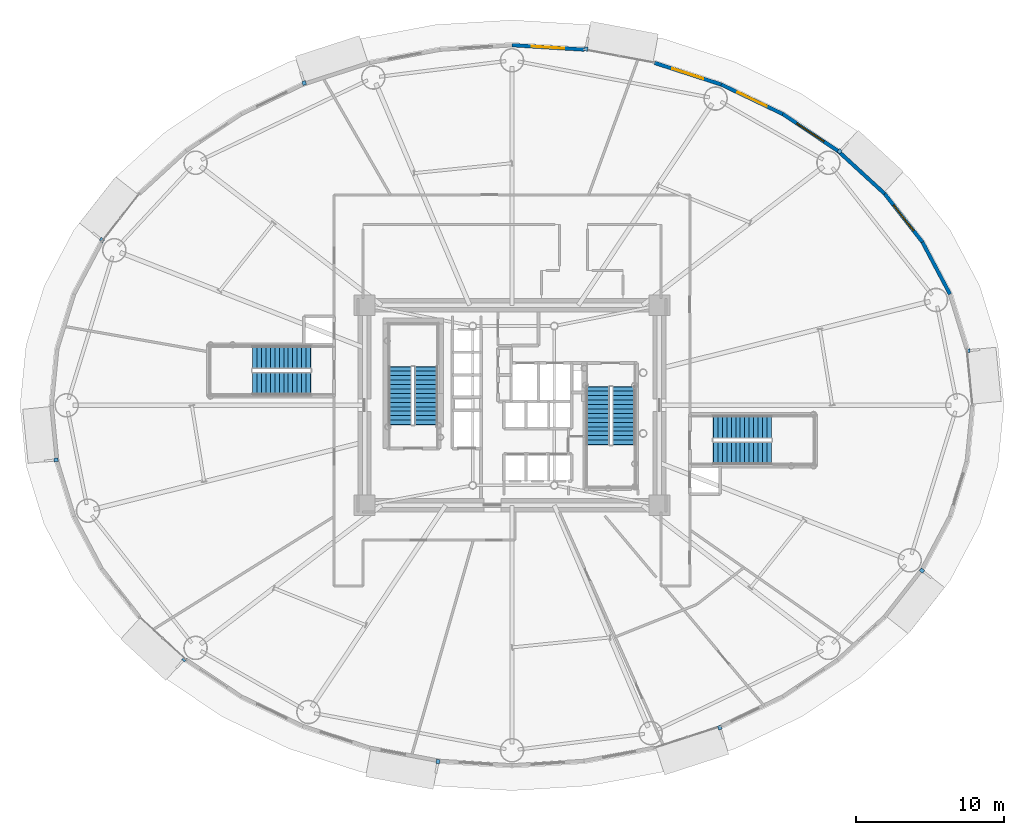
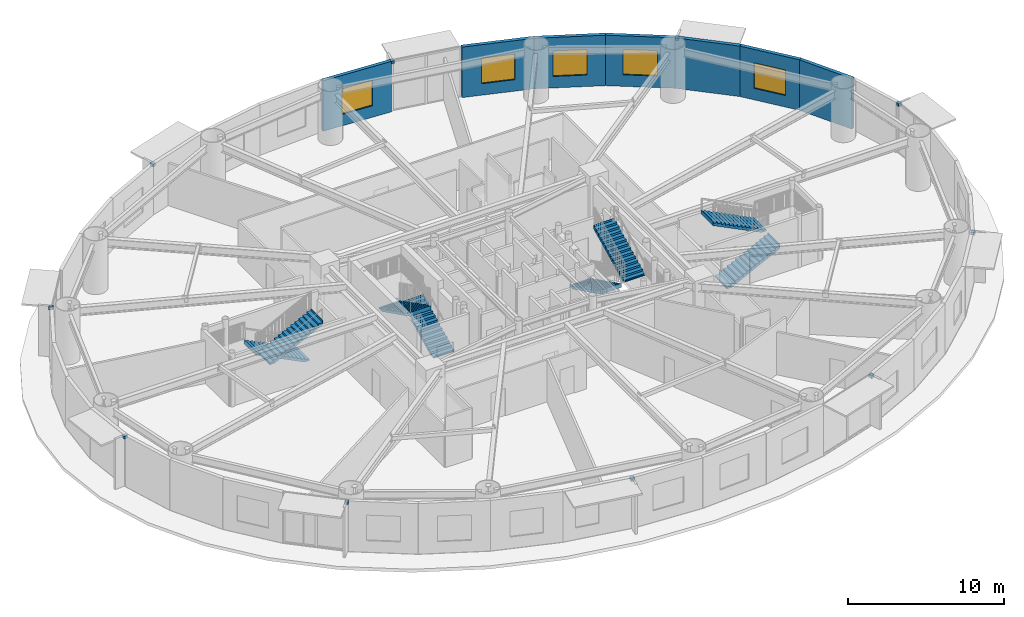
# One storey, part 23 of 35: 10 discrete accessories, 8 stair flights, 7 walls, 5 windows, 5 openings, 4 elements without a shape of their own.
"""IFC4 building model written with IfcOpenShell, lengths in metres."""

from ifc_helpers import new_model, si_unit, direction, frame, frame_2d, origin, origin_2d, place, context, subcontext, project, spatial, polyline, rectangle, outline, extrude, source, transform, mapped, material, layer, layer_set, type_object, element, fill, aggregate, save


model = new_model("IFC4")

# Units and contexts
model_context = context("Model", 3, precision=1e-05, world=origin(), true_north=direction((0.0, 1.0)))
body_context = subcontext(model_context, "Body", "Model", "MODEL_VIEW")
ifc_project = project(units=[si_unit("LENGTHUNIT", "METRE"), si_unit("AREAUNIT", "SQUARE_METRE"), si_unit("VOLUMEUNIT", "CUBIC_METRE"), si_unit("PLANEANGLEUNIT", "RADIAN"), si_unit("MASSUNIT", "GRAM", prefix="KILO")], contexts=[model_context])

# Site, building, storey
site_placement = place(None, origin())
site = spatial("IfcSite", under=ifc_project, at=site_placement, CompositionType="ELEMENT")
building_placement = place(site_placement, origin())
building = spatial("IfcBuilding", under=site, at=building_placement, Name="Linh Dai School and Residence Tower", CompositionType="ELEMENT")
storey_placement = place(building_placement, frame((0.0, 0.0, 32.39990234375)))
storey = spatial("IfcBuildingStorey", under=building, at=storey_placement, Name="L07", CompositionType="ELEMENT", Elevation=32.39990234375)

# Wall
ifc_material_1 = material(Name="Precast Concrete B45 (C35/45)", Category="concrete")
ifc_layer = layer(ifc_material_1, 0.25)
ifc_layer_set = layer_set([ifc_layer], Name="Precast Concrete B45 (C35/45)")
wall_type = type_object("IfcWallType", Name="EW-TC-250", PredefinedType="SOLIDWALL", material=ifc_layer_set)
wall_1_placement = place(storey_placement, frame((63.694580078125, 38.022705078125, 0.0), z_axis=(0.0, 0.0, 1.0), x_axis=(0.467662443071, -0.883907144072, 0.0)))
element("IfcWall", 1, at=wall_1_placement, inside=storey, type_object=wall_type, Name="L07 Terracotta Exterior Wall 03", PredefinedType="SOLIDWALL", context=body_context, shape_type="SweptSolid", body=[
    extrude(rectangle(XDim=3.983642578125, YDim=0.25, at=frame_2d((1.99169921875, 0.0))), origin(), (0.0, 0.0, 1.0), 3.9501953125),
])

# Wall, opening, window
wall_2_placement = place(storey_placement, frame((61.149658203125, 41.274658203125, 0.0), z_axis=(0.0, 0.0, 1.0), x_axis=(0.616295508253, -0.787514981767, 0.0)))
wall_2 = element("IfcWall", 2, at=wall_2_placement, inside=storey, type_object=wall_type, Name="L07 Terracotta Exterior Wall 04", PredefinedType="SOLIDWALL", context=body_context, shape_type="SweptSolid", body=[
    extrude(rectangle(XDim=4.12939453125, YDim=0.25, at=frame_2d((2.064697265625, 0.0))), origin(), (0.0, 0.0, 1.0), 3.9501953125),
])
opening_1_placement = place(wall_2_placement, frame((0.964599609375, 0.0, 0.89990234375)))
opening_1 = element("IfcOpeningElement", 3, at=opening_1_placement, cuts=wall_2, Name="Opening W4", PredefinedType="OPENING", context=body_context, shape_type="SweptSolid", body=[
    extrude(rectangle(XDim=2.199951171875, YDim=2.0, at=origin_2d()), frame((1.10009765625, 0.135009765625, 1.0), z_axis=(0.0, -1.0, 0.0), x_axis=(1.0, 0.0, 0.0)), (0.0, 0.0, 1.0), 0.27001953125),
])
ifc_material_2 = material(Name="Acoustic Laminated Low-E Glazing", Category="glass")
window_type = type_object("IfcWindowType", Name="WN-SCH-2200x2000", PartitioningType="TRIPLE_PANEL_VERTICAL", PredefinedType="WINDOW", material=ifc_material_2)
shared_shape_1 = source(origin(), body_context, "Body", "SweptSolid", [
    extrude(rectangle(XDim=2.199951171875, YDim=2.0, at=origin_2d()), frame((1.10009765625, 0.030029296875, 1.0), z_axis=(0.0, -1.0, 0.0), x_axis=(1.0, 0.0, 0.0)), (0.0, 0.0, 1.0), 0.06005859375),
])
window_1_placement = place(opening_1_placement, origin())
window_1 = element("IfcWindow", 4, at=window_1_placement, inside=storey, type_object=window_type, Name="L07 Exterior Window 04.1", OverallHeight=2.0, OverallWidth=2.199951171875, PartitioningType="TRIPLE_PANEL_VERTICAL", PredefinedType="WINDOW", context=body_context, shape_type="MappedRepresentation", body=[
    mapped(shared_shape_1, transform((0.0, 0.0, 0.0), x_axis=(1.0, 0.0, 0.0), y_axis=(0.0, 1.0, 0.0), z_axis=(0.0, 0.0, 1.0), scale=1.0)),
])
fill(opening_1, window_1)

# Wall
wall_3_placement = place(storey_placement, frame((57.984619140625, 44.17626953125, 0.0), z_axis=(0.0, 0.0, 1.0), x_axis=(0.737116376281, -0.67576582321, 0.0)))
element("IfcWall", 5, at=wall_3_placement, inside=storey, type_object=wall_type, Name="L07 Terracotta Exterior Wall 05", PredefinedType="SOLIDWALL", context=body_context, shape_type="SweptSolid", body=[
    extrude(rectangle(XDim=4.293701171875, YDim=0.25, at=frame_2d((2.14697265625, 0.0))), origin(), (0.0, 0.0, 1.0), 3.9501953125),
])

# Wall, opening, window
wall_4_placement = place(storey_placement, frame((54.277099609375, 46.65576171875, 0.0), z_axis=(0.0, 0.0, 1.0), x_axis=(0.831240982525, -0.555912249343, 0.0)))
wall_4 = element("IfcWall", 6, at=wall_4_placement, inside=storey, type_object=wall_type, Name="L07 Terracotta Exterior Wall 06", PredefinedType="SOLIDWALL", context=body_context, shape_type="SweptSolid", body=[
    extrude(rectangle(XDim=4.460205078125, YDim=0.25, at=frame_2d((2.22998046875, 0.0))), origin(), (0.0, 0.0, 1.0), 3.9501953125),
])
opening_2_placement = place(wall_4_placement, frame((1.1298828125, 0.0, 0.89990234375)))
opening_2 = element("IfcOpeningElement", 7, at=opening_2_placement, cuts=wall_4, Name="Opening W4", PredefinedType="OPENING", context=body_context, shape_type="SweptSolid", body=[
    extrude(rectangle(XDim=2.199951171875, YDim=2.0, at=origin_2d()), frame((1.10009765625, 0.135009765625, 1.0), z_axis=(0.0, -1.0, 0.0), x_axis=(1.0, 0.0, 0.0)), (0.0, 0.0, 1.0), 0.27001953125),
])
window_2_placement = place(opening_2_placement, origin())
window_2 = element("IfcWindow", 8, at=window_2_placement, inside=storey, type_object=window_type, Name="L07 Exterior Window 06.1", OverallHeight=2.0, OverallWidth=2.199951171875, PartitioningType="TRIPLE_PANEL_VERTICAL", PredefinedType="WINDOW", context=body_context, shape_type="MappedRepresentation", body=[
    mapped(shared_shape_1, transform((0.0, 0.0, 0.0), x_axis=(1.0, 0.0, 0.0), y_axis=(0.0, 1.0, 0.0), z_axis=(0.0, 0.0, 1.0), scale=1.0)),
])
fill(opening_2, window_2)

wall_5_placement = place(storey_placement, frame((50.1181640625, 48.651123046875, 0.0), z_axis=(0.0, 0.0, 1.0), x_axis=(0.901601503137, -0.432567601123, 0.0)))
wall_5 = element("IfcWall", 9, at=wall_5_placement, inside=storey, type_object=wall_type, Name="L07 Terracotta Exterior Wall 07", PredefinedType="SOLIDWALL", context=body_context, shape_type="SweptSolid", body=[
    extrude(rectangle(XDim=4.61279296875, YDim=0.25, at=frame_2d((2.306396484375, 0.0))), origin(), (0.0, 0.0, 1.0), 3.9501953125),
])
opening_3_placement = place(wall_5_placement, frame((1.206298828125, 0.0, 0.89990234375)))
opening_3 = element("IfcOpeningElement", 10, at=opening_3_placement, cuts=wall_5, Name="Opening W4", PredefinedType="OPENING", context=body_context, shape_type="SweptSolid", body=[
    extrude(rectangle(XDim=2.199951171875, YDim=2.0, at=origin_2d()), frame((1.10009765625, 0.135009765625, 1.0), z_axis=(0.0, -1.0, 0.0), x_axis=(1.0, 0.0, 0.0)), (0.0, 0.0, 1.0), 0.27001953125),
])
window_3_placement = place(opening_3_placement, origin())
window_3 = element("IfcWindow", 11, at=window_3_placement, inside=storey, type_object=window_type, Name="L07 Exterior Window 07.1", OverallHeight=2.0, OverallWidth=2.199951171875, PartitioningType="TRIPLE_PANEL_VERTICAL", PredefinedType="WINDOW", context=body_context, shape_type="MappedRepresentation", body=[
    mapped(shared_shape_1, transform((0.0, 0.0, 0.0), x_axis=(1.0, 0.0, 0.0), y_axis=(0.0, 1.0, 0.0), z_axis=(0.0, 0.0, 1.0), scale=1.0)),
])
fill(opening_3, window_3)

wall_6_placement = place(storey_placement, frame((45.610595703125, 50.11328125, 0.0), z_axis=(0.0, 0.0, 1.0), x_axis=(0.951207699013, -0.308551313946, 0.0)))
wall_6 = element("IfcWall", 12, at=wall_6_placement, inside=storey, type_object=wall_type, Name="L07 Terracotta Exterior Wall 08", PredefinedType="SOLIDWALL", context=body_context, shape_type="SweptSolid", body=[
    extrude(rectangle(XDim=4.73876953125, YDim=0.25, at=frame_2d((2.369384765625, 0.0))), origin(), (0.0, 0.0, 1.0), 3.9501953125),
])
opening_4_placement = place(wall_6_placement, frame((1.269287109375, 0.0, 0.89990234375)))
opening_4 = element("IfcOpeningElement", 13, at=opening_4_placement, cuts=wall_6, Name="Opening W4", PredefinedType="OPENING", context=body_context, shape_type="SweptSolid", body=[
    extrude(rectangle(XDim=2.199951171875, YDim=2.0, at=origin_2d()), frame((1.10009765625, 0.135009765625, 1.0), z_axis=(0.0, -1.0, 0.0), x_axis=(1.0, 0.0, 0.0)), (0.0, 0.0, 1.0), 0.27001953125),
])
window_4_placement = place(opening_4_placement, origin())
window_4 = element("IfcWindow", 14, at=window_4_placement, inside=storey, type_object=window_type, Name="L07 Exterior Window 08.1", OverallHeight=2.0, OverallWidth=2.199951171875, PartitioningType="TRIPLE_PANEL_VERTICAL", PredefinedType="WINDOW", context=body_context, shape_type="MappedRepresentation", body=[
    mapped(shared_shape_1, transform((0.0, 0.0, 0.0), x_axis=(1.0, 0.0, 0.0), y_axis=(0.0, 1.0, 0.0), z_axis=(0.0, 0.0, 1.0), scale=1.0)),
])
fill(opening_4, window_4)

wall_7_placement = place(storey_placement, frame((36.0, 51.304931640625, 0.0), z_axis=(0.0, 0.0, 1.0), x_axis=(0.998106954071, -0.061502099433, 0.0)))
wall_7 = element("IfcWall", 15, at=wall_7_placement, inside=storey, type_object=wall_type, Name="L07 Terracotta Exterior Wall 10", PredefinedType="SOLIDWALL", context=body_context, shape_type="SweptSolid", body=[
    extrude(rectangle(XDim=4.874755859375, YDim=0.25, at=frame_2d((2.4375, 0.0))), origin(), (0.0, 0.0, 1.0), 3.9501953125),
])
opening_5_placement = place(wall_7_placement, frame((1.33740234375, 0.0, 0.89990234375)))
opening_5 = element("IfcOpeningElement", 16, at=opening_5_placement, cuts=wall_7, Name="Opening W4", PredefinedType="OPENING", context=body_context, shape_type="SweptSolid", body=[
    extrude(rectangle(XDim=2.199951171875, YDim=2.0, at=origin_2d()), frame((1.10009765625, 0.135009765625, 1.0), z_axis=(0.0, -1.0, 0.0), x_axis=(1.0, 0.0, 0.0)), (0.0, 0.0, 1.0), 0.27001953125),
])
window_5_placement = place(opening_5_placement, origin())
window_5 = element("IfcWindow", 17, at=window_5_placement, inside=storey, type_object=window_type, Name="L07 Exterior Window 10.1", OverallHeight=2.0, OverallWidth=2.199951171875, PartitioningType="TRIPLE_PANEL_VERTICAL", PredefinedType="WINDOW", context=body_context, shape_type="MappedRepresentation", body=[
    mapped(shared_shape_1, transform((0.0, 0.0, 0.0), x_axis=(1.0, 0.0, 0.0), y_axis=(0.0, 1.0, 0.0), z_axis=(0.0, 0.0, 1.0), scale=1.0)),
])
fill(opening_5, window_5)

# Stair, stair flights
ifc_material_3 = material(Name="Concrete B45 (C35/45)", Category="concrete")
stair_type = type_object("IfcStairType", Name="ST-DOG-1550-R1500", PredefinedType="HALF_TURN_STAIR", material=ifc_material_3)
stair_1_placement = place(storey_placement, origin())
stair_1 = element("IfcStair", 18, at=stair_1_placement, inside=storey, type_object=stair_type, Name="L07 Core Smokeproof Exit Stair ST1", PredefinedType="HALF_TURN_STAIR")
stair_flight_type = type_object("IfcStairFlightType", Name="STF-STR-1550-R1500", PredefinedType="STRAIGHT", material=ifc_material_3)
shared_shape_2 = source(origin(), body_context, "Body", "SweptSolid", [
    extrude(outline(polyline([(-0.02490234375, 0.0), (-0.02490234375, 0.06005859375), (0.0, 0.06005859375), (0.0, 0.14990234375), (0.300048828125, 0.14990234375), (0.300048828125, 0.300048828125), (0.60009765625, 0.300048828125), (0.60009765625, 0.449951171875), (0.89990234375, 0.449951171875), (0.89990234375, 0.60009765625), (1.199951171875, 0.60009765625), (1.199951171875, 0.75), (1.5, 0.75), (1.5, 0.89990234375), (1.800048828125, 0.89990234375), (1.800048828125, 1.050048828125), (2.10009765625, 1.050048828125), (2.10009765625, 1.199951171875), (2.39990234375, 1.199951171875), (2.39990234375, 1.35009765625), (2.699951171875, 1.35009765625), (2.699951171875, 1.5), (3.0, 1.5), (3.0, 1.64990234375), (3.300048828125, 1.64990234375), (3.300048828125, 1.800048828125), (3.60009765625, 1.800048828125), (3.60009765625, 1.949951171875), (3.89990234375, 1.949951171875), (3.89990234375, 2.10009765625), (3.925048828125, 2.10009765625), (3.925048828125, 1.782470703125), (3.89990234375, 1.782470703125), (0.335205078125, 0.0), (-0.02490234375, 0.0)])), frame((0.0, 0.77490234375, 0.0), z_axis=(0.0, -1.0, 0.0), x_axis=(1.0, 0.0, 0.0)), (0.0, 0.0, 1.0), 1.550048828125),
])
stair_flight_1_placement = place(storey_placement, frame((30.205078125, 25.699951171875, 0.0), z_axis=(0.0, 0.0, 1.0), x_axis=(0.0, 1.0, 0.0)))
stair_flight_1 = element("IfcStairFlight", 19, at=stair_flight_1_placement, type_object=stair_flight_type, Name="ST1 flight 1", NumberOfRisers=14, NumberOfTreads=13, PredefinedType="STRAIGHT", RiserHeight=0.15, TreadLength=0.3, context=body_context, shape_type="MappedRepresentation", body=[
    mapped(shared_shape_2, transform((0.0, 0.0, 0.0), x_axis=(1.0, 0.0, 0.0), y_axis=(0.0, 1.0, 0.0), z_axis=(0.0, 0.0, 1.0), scale=1.0)),
])
stair_flight_2_placement = place(storey_placement, frame((28.455078125, 29.60009765625, 2.10009765625), z_axis=(0.0, 0.0, 1.0), x_axis=(0.0, -1.0, 0.0)))
stair_flight_2 = element("IfcStairFlight", 20, at=stair_flight_2_placement, type_object=stair_flight_type, Name="ST1 flight 2", NumberOfRisers=14, NumberOfTreads=13, PredefinedType="STRAIGHT", RiserHeight=0.15, TreadLength=0.3, context=body_context, shape_type="MappedRepresentation", body=[
    mapped(shared_shape_2, transform((0.0, 0.0, 0.0), x_axis=(1.0, 0.0, 0.0), y_axis=(0.0, 1.0, 0.0), z_axis=(0.0, 0.0, 1.0), scale=1.0)),
])
aggregate(stair_1, [stair_flight_1, stair_flight_2])

stair_2_placement = place(storey_placement, origin())
stair_2 = element("IfcStair", 21, at=stair_2_placement, inside=storey, type_object=stair_type, Name="L07 Core Smokeproof Exit Stair ST2", PredefinedType="HALF_TURN_STAIR")
stair_flight_3_placement = place(storey_placement, frame((41.794921875, 28.25, 0.0), z_axis=(0.0, 0.0, 1.0), x_axis=(0.0, -1.0, 0.0)))
stair_flight_3 = element("IfcStairFlight", 22, at=stair_flight_3_placement, type_object=stair_flight_type, Name="ST2 flight 1", NumberOfRisers=14, NumberOfTreads=13, PredefinedType="STRAIGHT", RiserHeight=0.15, TreadLength=0.3, context=body_context, shape_type="MappedRepresentation", body=[
    mapped(shared_shape_2, transform((0.0, 0.0, 0.0), x_axis=(1.0, 0.0, 0.0), y_axis=(0.0, 1.0, 0.0), z_axis=(0.0, 0.0, 1.0), scale=1.0)),
])
stair_flight_4_placement = place(storey_placement, frame((43.544921875, 24.35009765625, 2.10009765625), z_axis=(0.0, 0.0, 1.0), x_axis=(0.0, 1.0, 0.0)))
stair_flight_4 = element("IfcStairFlight", 23, at=stair_flight_4_placement, type_object=stair_flight_type, Name="ST2 flight 2", NumberOfRisers=14, NumberOfTreads=13, PredefinedType="STRAIGHT", RiserHeight=0.15, TreadLength=0.3, context=body_context, shape_type="MappedRepresentation", body=[
    mapped(shared_shape_2, transform((0.0, 0.0, 0.0), x_axis=(1.0, 0.0, 0.0), y_axis=(0.0, 1.0, 0.0), z_axis=(0.0, 0.0, 1.0), scale=1.0)),
])
aggregate(stair_2, [stair_flight_3, stair_flight_4])

stair_3_placement = place(storey_placement, origin())
stair_3 = element("IfcStair", 24, at=stair_3_placement, inside=storey, type_object=stair_type, Name="L07 School Exit Stair STS1", PredefinedType="HALF_TURN_STAIR")
stair_flight_5_placement = place(storey_placement, frame((22.39990234375, 30.22509765625, 0.0), z_axis=(0.0, 0.0, 1.0), x_axis=(-1.0, 0.0, 0.0)))
stair_flight_5 = element("IfcStairFlight", 25, at=stair_flight_5_placement, type_object=stair_flight_type, Name="STS1 flight 1", NumberOfRisers=14, NumberOfTreads=13, PredefinedType="STRAIGHT", RiserHeight=0.15, TreadLength=0.3, context=body_context, shape_type="MappedRepresentation", body=[
    mapped(shared_shape_2, transform((0.0, 0.0, 0.0), x_axis=(1.0, 0.0, 0.0), y_axis=(0.0, 1.0, 0.0), z_axis=(0.0, 0.0, 1.0), scale=1.0)),
])
stair_flight_6_placement = place(storey_placement, frame((18.5, 28.47509765625, 2.10009765625), z_axis=(0.0, 0.0, 1.0), x_axis=(1.0, 0.0, 0.0)))
stair_flight_6 = element("IfcStairFlight", 26, at=stair_flight_6_placement, type_object=stair_flight_type, Name="STS1 flight 2", NumberOfRisers=14, NumberOfTreads=13, PredefinedType="STRAIGHT", RiserHeight=0.15, TreadLength=0.3, context=body_context, shape_type="MappedRepresentation", body=[
    mapped(shared_shape_2, transform((0.0, 0.0, 0.0), x_axis=(1.0, 0.0, 0.0), y_axis=(0.0, 1.0, 0.0), z_axis=(0.0, 0.0, 1.0), scale=1.0)),
])
aggregate(stair_3, [stair_flight_5, stair_flight_6])

stair_4_placement = place(storey_placement, origin())
stair_4 = element("IfcStair", 27, at=stair_4_placement, inside=storey, type_object=stair_type, Name="L07 School Exit Stair STS2", PredefinedType="HALF_TURN_STAIR")
stair_flight_7_placement = place(storey_placement, frame((49.60009765625, 23.77490234375, 0.0), z_axis=(0.0, 0.0, 1.0), x_axis=(1.0, 0.0, 0.0)))
stair_flight_7 = element("IfcStairFlight", 28, at=stair_flight_7_placement, type_object=stair_flight_type, Name="STS2 flight 1", NumberOfRisers=14, NumberOfTreads=13, PredefinedType="STRAIGHT", RiserHeight=0.15, TreadLength=0.3, context=body_context, shape_type="MappedRepresentation", body=[
    mapped(shared_shape_2, transform((0.0, 0.0, 0.0), x_axis=(1.0, 0.0, 0.0), y_axis=(0.0, 1.0, 0.0), z_axis=(0.0, 0.0, 1.0), scale=1.0)),
])
stair_flight_8_placement = place(storey_placement, frame((53.5, 25.52490234375, 2.10009765625), z_axis=(0.0, 0.0, 1.0), x_axis=(-1.0, 0.0, 0.0)))
stair_flight_8 = element("IfcStairFlight", 29, at=stair_flight_8_placement, type_object=stair_flight_type, Name="STS2 flight 2", NumberOfRisers=14, NumberOfTreads=13, PredefinedType="STRAIGHT", RiserHeight=0.15, TreadLength=0.3, context=body_context, shape_type="MappedRepresentation", body=[
    mapped(shared_shape_2, transform((0.0, 0.0, 0.0), x_axis=(1.0, 0.0, 0.0), y_axis=(0.0, 1.0, 0.0), z_axis=(0.0, 0.0, 1.0), scale=1.0)),
])
aggregate(stair_4, [stair_flight_7, stair_flight_8])

# Discrete accessories
ifc_material_4 = material(Name="Structural Steel S355JR", Category="steel")
discrete_accessory_type = type_object("IfcDiscreteAccessoryType", Name="ACC-BRK-S355", PredefinedType="BRACKET", material=ifc_material_4)
shared_shape_3 = source(origin(), body_context, "Body", "SweptSolid", [
    extrude(rectangle(XDim=0.280029296875, YDim=0.239990234375, at=origin_2d()), origin(), (0.0, 0.0, 1.0), 0.219970703125),
])
for number, where, z_axis, x_axis, name in (
    (30, (66.76513671875, 30.68359375, 3.7001953125), (0.0, 0.0, 1.0), (0.994986493533, 0.100009387998, 0.0), "L07 Facade Frame Anchor Bracket 01"),
    (31, (58.11376953125, 44.139404296875, 3.7001953125), (0.0, 0.0, 1.0), (0.675769237268, 0.737113246362, 0.0), "L07 Facade Frame Anchor Bracket 05"),
    (32, (40.994384765625, 51.0419921875, 3.7001953125), (0.0, 0.0, 1.0), (0.184747948944, 0.982785935675, 0.0), "L07 Facade Frame Anchor Bracket 09"),
    (33, (21.9775390625, 48.745361328125, 3.7001953125), (0.0, 0.0, 1.0), (-0.308510993844, 0.951220777043, 0.0), "L07 Facade Frame Anchor Bracket 13"),
    (34, (8.33203125, 38.154296875, 3.7001953125), (0.0, 0.0, 1.0), (-0.787496262172, 0.616319427785, 0.0), "L07 Facade Frame Anchor Bracket 17"),
    (35, (5.23486328125, 23.31640625, 3.7001953125), (0.0, 0.0, 1.0), (-0.994986493533, -0.100009387998, 0.0), "L07 Facade Frame Anchor Bracket 21"),
    (36, (13.88623046875, 9.860595703125, 3.7001953125), (0.0, 0.0, 1.0), (-0.675769237268, -0.737113246362, 0.0), "L07 Facade Frame Anchor Bracket 25"),
    (37, (31.005615234375, 2.9580078125, 3.7001953125), (0.0, 0.0, 1.0), (-0.184747948944, -0.982785935675, 0.0), "L07 Facade Frame Anchor Bracket 29"),
    (38, (50.0224609375, 5.254638671875, 3.7001953125), (0.0, 0.0, 1.0), (0.308510993844, -0.951220777043, 0.0), "L07 Facade Frame Anchor Bracket 33"),
    (39, (63.66796875, 15.845703125, 3.7001953125), (0.0, 0.0, 1.0), (0.787496262172, -0.616319427785, 0.0), "L07 Facade Frame Anchor Bracket 37"),
):
    element("IfcDiscreteAccessory", number, at=place(storey_placement, frame(where, z_axis=z_axis, x_axis=x_axis)), inside=storey, type_object=discrete_accessory_type, Name=name, PredefinedType="BRACKET", context=body_context, shape_type="MappedRepresentation", body=[
        mapped(shared_shape_3, transform((0.0, 0.0, 0.0), x_axis=(1.0, 0.0, 0.0), y_axis=(0.0, 1.0, 0.0), z_axis=(0.0, 0.0, 1.0), scale=1.0)),
    ])

save(model, "model.ifc")
